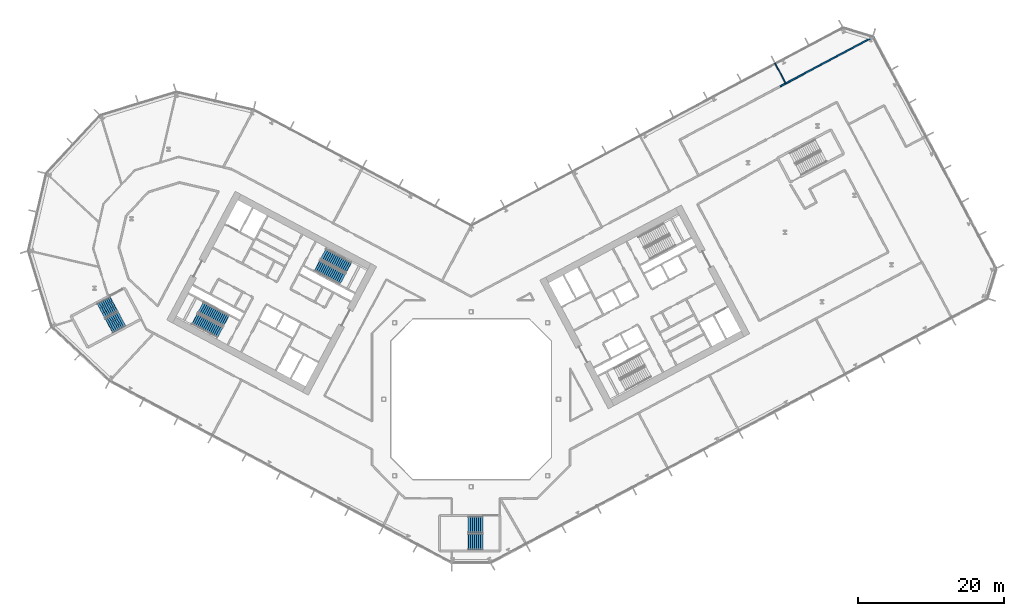
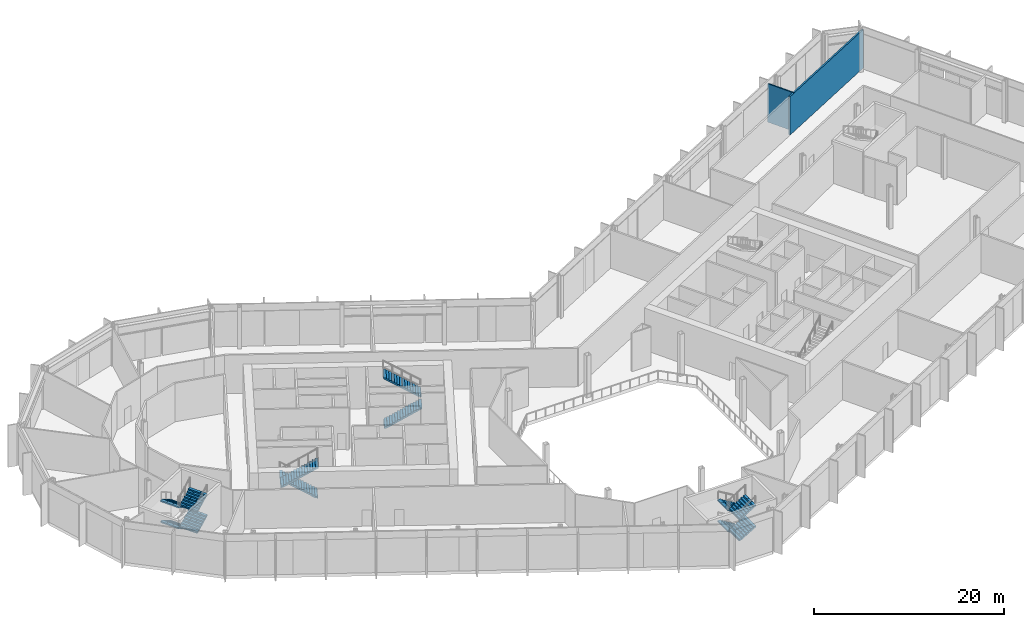
# One storey, part 17 of 30: 12 stair flights, 2 walls, 4 elements without a shape of their own.
"""IFC4 building model written with IfcOpenShell, lengths in metres."""

from ifc_helpers import new_model, si_unit, direction, frame, frame_2d, origin, place, context, subcontext, project, spatial, polyline, rectangle, outline, extrude, material, layer, layer_set, type_object, element, aggregate, save


model = new_model("IFC4")

# Units and contexts
model_context = context("Model", 3, precision=1e-05, world=origin(), true_north=direction((0.0, 1.0)))
body_context = subcontext(model_context, "Body", "Model", "MODEL_VIEW")
ifc_project = project(units=[si_unit("LENGTHUNIT", "METRE"), si_unit("AREAUNIT", "SQUARE_METRE"), si_unit("VOLUMEUNIT", "CUBIC_METRE"), si_unit("PLANEANGLEUNIT", "RADIAN"), si_unit("MASSUNIT", "GRAM", prefix="KILO")], contexts=[model_context])

# Site, building, storey
site_placement = place(None, origin())
site = spatial("IfcSite", under=ifc_project, at=site_placement, CompositionType="ELEMENT")
building_placement = place(site_placement, origin())
building = spatial("IfcBuilding", under=site, at=building_placement, Name="Cormorant Relay Tower", CompositionType="ELEMENT")
storey_placement = place(building_placement, frame((0.0, 0.0, 44.60009765625)))
storey = spatial("IfcBuildingStorey", under=building, at=storey_placement, Name="L08", CompositionType="ELEMENT", Elevation=44.60009765625)

# Walls
ifc_material_1 = material(Name="Fire-rated gypsum board partition")
ifc_layer_1 = layer(ifc_material_1, 0.199951171875)
ifc_layer_set_1 = layer_set([ifc_layer_1], Name="Fire-rated gypsum partition 200")
wall_type_1 = type_object("IfcWallType", Name="Fire-rated gypsum partition 200", PredefinedType="PARTITIONING", material=ifc_layer_set_1)
wall_1_placement = place(storey_placement, frame((42.426025390625, 42.945068359375, 0.0), z_axis=(0.0, 0.0, 1.0), x_axis=(0.882949550604, 0.469467880785, 0.0)))
element("IfcWall", 1, at=wall_1_placement, inside=storey, type_object=wall_type_1, Name="wall/L08/part/70", PredefinedType="PARTITIONING", context=body_context, shape_type="SweptSolid", body=[
    extrude(rectangle(XDim=14.595458984375, YDim=0.199951171875, at=frame_2d((7.2978515625, 0.0))), origin(), (0.0, 0.0, 1.0), 4.949951171875),
])
ifc_material_2 = material(Name="Gypsum board partition")
ifc_layer_2 = layer(ifc_material_2, 0.14990234375)
ifc_layer_set_2 = layer_set([ifc_layer_2], Name="Gypsum board partition 150")
wall_type_2 = type_object("IfcWallType", Name="Gypsum board partition 150", PredefinedType="PARTITIONING", material=ifc_layer_set_2)
wall_2_placement = place(storey_placement, frame((41.68603515625, 46.175048828125, 0.0), z_axis=(0.0, 0.0, 1.0), x_axis=(0.469447181805, -0.882960556025, 0.0)))
element("IfcWall", 2, at=wall_2_placement, inside=storey, type_object=wall_type_2, Name="wall/L08/part/69", PredefinedType="PARTITIONING", context=body_context, shape_type="SweptSolid", body=[
    extrude(rectangle(XDim=3.199462890625, YDim=0.14990234375, at=frame_2d((1.599609375, 0.0))), origin(), (0.0, 0.0, 1.0), 4.949951171875),
])

# Stair, stair flights
ifc_material_3 = material(Name="Concrete 40 MPa", Category="concrete")
stair_type_1 = type_object("IfcStairType", Name="Exit stair 1500", PredefinedType="HALF_TURN_STAIR", material=ifc_material_3)
stair_1_placement = place(storey_placement, origin())
stair_1 = element("IfcStair", 3, at=stair_1_placement, inside=storey, type_object=stair_type_1, Name="L08 Stair", PredefinedType="HALF_TURN_STAIR")
ifc_material_4 = material(Name="Concrete 40 MPa", Category="concrete")
stair_flight_type_1 = type_object("IfcStairFlightType", Name="Exit stair flight 1650", PredefinedType="STRAIGHT", material=ifc_material_4)
stair_flight_1_placement = place(storey_placement, frame((-21.114501953125, 18.33349609375, 0.0), z_axis=(0.0, 0.0, 1.0), x_axis=(0.882947592859, -0.469471562786, 0.0)))
stair_flight_1 = element("IfcStairFlight", 4, at=stair_flight_1_placement, type_object=stair_flight_type_1, Name="A1 flight 1", NumberOfRisers=15, NumberOfTreads=14, PredefinedType="STRAIGHT", RiserHeight=0.18, TreadLength=0.28, context=body_context, shape_type="SweptSolid", body=[
    extrude(outline(polyline([(-0.050048828125, -0.080078125), (-0.050048828125, 0.0), (0.0, 0.0), (0.0, 0.179931640625), (0.280029296875, 0.179931640625), (0.280029296875, 0.360107421875), (0.56005859375, 0.360107421875), (0.56005859375, 0.5400390625), (0.840087890625, 0.5400390625), (0.840087890625, 0.719970703125), (1.1201171875, 0.719970703125), (1.1201171875, 0.89990234375), (1.39990234375, 0.89990234375), (1.39990234375, 1.080078125), (1.679931640625, 1.080078125), (1.679931640625, 1.260009765625), (1.9599609375, 1.260009765625), (1.9599609375, 1.43994140625), (2.239990234375, 1.43994140625), (2.239990234375, 1.6201171875), (2.52001953125, 1.6201171875), (2.52001953125, 1.800048828125), (2.800048828125, 1.800048828125), (2.800048828125, 1.97998046875), (3.080078125, 1.97998046875), (3.080078125, 2.159912109375), (3.360107421875, 2.159912109375), (3.360107421875, 2.340087890625), (3.639892578125, 2.340087890625), (3.639892578125, 2.52001953125), (3.919921875, 2.52001953125), (3.969970703125, 2.52001953125), (3.969970703125, 2.341796875), (3.919921875, 2.341796875), (0.277099609375, 0.0), (-0.050048828125, -0.080078125)])), frame((0.0, 0.824951171875, 0.0), z_axis=(0.0, -1.0, 0.0), x_axis=(1.0, 0.0, 0.0)), (0.0, 0.0, 1.0), 1.64990234375),
])
stair_flight_2_placement = place(storey_placement, frame((-16.80810546875, 18.08251953125, 2.699951171875), z_axis=(0.0, 0.0, 1.0), x_axis=(-0.882947592859, 0.469471562786, 0.0)))
stair_flight_2 = element("IfcStairFlight", 5, at=stair_flight_2_placement, type_object=stair_flight_type_1, Name="A1 flight 2", NumberOfRisers=15, NumberOfTreads=14, PredefinedType="STRAIGHT", RiserHeight=0.18, TreadLength=0.28, context=body_context, shape_type="SweptSolid", body=[
    extrude(outline(polyline([(-0.050048828125, -0.080078125), (-0.050048828125, 0.0), (0.0, 0.0), (0.0, 0.179931640625), (0.280029296875, 0.179931640625), (0.280029296875, 0.360107421875), (0.56005859375, 0.360107421875), (0.56005859375, 0.5400390625), (0.840087890625, 0.5400390625), (0.840087890625, 0.719970703125), (1.1201171875, 0.719970703125), (1.1201171875, 0.89990234375), (1.39990234375, 0.89990234375), (1.39990234375, 1.080078125), (1.679931640625, 1.080078125), (1.679931640625, 1.260009765625), (1.9599609375, 1.260009765625), (1.9599609375, 1.43994140625), (2.239990234375, 1.43994140625), (2.239990234375, 1.6201171875), (2.52001953125, 1.6201171875), (2.52001953125, 1.800048828125), (2.800048828125, 1.800048828125), (2.800048828125, 1.97998046875), (3.080078125, 1.97998046875), (3.080078125, 2.159912109375), (3.360107421875, 2.159912109375), (3.360107421875, 2.340087890625), (3.639892578125, 2.340087890625), (3.639892578125, 2.52001953125), (3.919921875, 2.52001953125), (3.969970703125, 2.52001953125), (3.969970703125, 2.341796875), (3.919921875, 2.341796875), (0.277099609375, 0.0), (-0.050048828125, -0.080078125)])), frame((0.0, 0.824951171875, 0.0), z_axis=(0.0, -1.0, 0.0), x_axis=(1.0, 0.0, 0.0)), (0.0, 0.0, 1.0), 1.64990234375),
])
aggregate(stair_1, [stair_flight_1, stair_flight_2])

stair_2_placement = place(storey_placement, origin())
stair_2 = element("IfcStair", 6, at=stair_2_placement, inside=storey, type_object=stair_type_1, Name="L08 Stair", PredefinedType="HALF_TURN_STAIR")
stair_flight_3_placement = place(storey_placement, frame((-33.62841796875, 10.773681640625, 0.0), z_axis=(0.0, 0.0, 1.0), x_axis=(-0.882947592859, 0.469471562786, 0.0)))
stair_flight_3 = element("IfcStairFlight", 7, at=stair_flight_3_placement, type_object=stair_flight_type_1, Name="A2 flight 1", NumberOfRisers=15, NumberOfTreads=14, PredefinedType="STRAIGHT", RiserHeight=0.18, TreadLength=0.28, context=body_context, shape_type="SweptSolid", body=[
    extrude(outline(polyline([(-0.050048828125, -0.080078125), (-0.050048828125, 0.0), (0.0, 0.0), (0.0, 0.179931640625), (0.280029296875, 0.179931640625), (0.280029296875, 0.360107421875), (0.56005859375, 0.360107421875), (0.56005859375, 0.5400390625), (0.840087890625, 0.5400390625), (0.840087890625, 0.719970703125), (1.1201171875, 0.719970703125), (1.1201171875, 0.89990234375), (1.39990234375, 0.89990234375), (1.39990234375, 1.080078125), (1.679931640625, 1.080078125), (1.679931640625, 1.260009765625), (1.9599609375, 1.260009765625), (1.9599609375, 1.43994140625), (2.239990234375, 1.43994140625), (2.239990234375, 1.6201171875), (2.52001953125, 1.6201171875), (2.52001953125, 1.800048828125), (2.800048828125, 1.800048828125), (2.800048828125, 1.97998046875), (3.080078125, 1.97998046875), (3.080078125, 2.159912109375), (3.360107421875, 2.159912109375), (3.360107421875, 2.340087890625), (3.639892578125, 2.340087890625), (3.639892578125, 2.52001953125), (3.919921875, 2.52001953125), (3.969970703125, 2.52001953125), (3.969970703125, 2.341796875), (3.919921875, 2.341796875), (0.277099609375, 0.0), (-0.050048828125, -0.080078125)])), frame((0.0, 0.824951171875, 0.0), z_axis=(0.0, -1.0, 0.0), x_axis=(1.0, 0.0, 0.0)), (0.0, 0.0, 1.0), 1.64990234375),
])
stair_flight_4_placement = place(storey_placement, frame((-37.9345703125, 11.024658203125, 2.699951171875), z_axis=(0.0, 0.0, 1.0), x_axis=(0.882947592859, -0.469471562786, 0.0)))
stair_flight_4 = element("IfcStairFlight", 8, at=stair_flight_4_placement, type_object=stair_flight_type_1, Name="A2 flight 2", NumberOfRisers=15, NumberOfTreads=14, PredefinedType="STRAIGHT", RiserHeight=0.18, TreadLength=0.28, context=body_context, shape_type="SweptSolid", body=[
    extrude(outline(polyline([(-0.050048828125, -0.080078125), (-0.050048828125, 0.0), (0.0, 0.0), (0.0, 0.179931640625), (0.280029296875, 0.179931640625), (0.280029296875, 0.360107421875), (0.56005859375, 0.360107421875), (0.56005859375, 0.5400390625), (0.840087890625, 0.5400390625), (0.840087890625, 0.719970703125), (1.1201171875, 0.719970703125), (1.1201171875, 0.89990234375), (1.39990234375, 0.89990234375), (1.39990234375, 1.080078125), (1.679931640625, 1.080078125), (1.679931640625, 1.260009765625), (1.9599609375, 1.260009765625), (1.9599609375, 1.43994140625), (2.239990234375, 1.43994140625), (2.239990234375, 1.6201171875), (2.52001953125, 1.6201171875), (2.52001953125, 1.800048828125), (2.800048828125, 1.800048828125), (2.800048828125, 1.97998046875), (3.080078125, 1.97998046875), (3.080078125, 2.159912109375), (3.360107421875, 2.159912109375), (3.360107421875, 2.340087890625), (3.639892578125, 2.340087890625), (3.639892578125, 2.52001953125), (3.919921875, 2.52001953125), (3.969970703125, 2.52001953125), (3.969970703125, 2.341796875), (3.919921875, 2.341796875), (0.277099609375, 0.0), (-0.050048828125, -0.080078125)])), frame((0.0, 0.824951171875, 0.0), z_axis=(0.0, -1.0, 0.0), x_axis=(1.0, 0.0, 0.0)), (0.0, 0.0, 1.0), 1.64990234375),
])
aggregate(stair_2, [stair_flight_3, stair_flight_4])

ifc_material_5 = material(Name="Concrete 40 MPa", Category="concrete")
stair_type_2 = type_object("IfcStairType", Name="Remote exit stair 2200", PredefinedType="HALF_TURN_STAIR", material=ifc_material_5)
stair_3_placement = place(storey_placement, origin())
stair_3 = element("IfcStair", 9, at=stair_3_placement, inside=storey, type_object=stair_type_2, Name="L08 Stair", PredefinedType="HALF_TURN_STAIR")
ifc_material_6 = material(Name="Concrete 40 MPa", Category="concrete")
stair_flight_type_2 = type_object("IfcStairFlightType", Name="Remote exit stair flight 2200", PredefinedType="STRAIGHT", material=ifc_material_6)
stair_flight_5_placement = place(storey_placement, frame((1.60009765625, -17.22509765625, 0.0), z_axis=(0.0, 0.0, 1.0), x_axis=(-1.0, 0.0, 0.0)))
stair_flight_5 = element("IfcStairFlight", 10, at=stair_flight_5_placement, type_object=stair_flight_type_2, Name="RK1 flight 1", NumberOfRisers=8, NumberOfTreads=7, PredefinedType="STRAIGHT", RiserHeight=0.16875, TreadLength=0.28, context=body_context, shape_type="SweptSolid", body=[
    extrude(outline(polyline([(-0.050048828125, -0.080078125), (-0.050048828125, 0.0), (0.0, 0.0), (0.0, 0.168701171875), (0.280029296875, 0.168701171875), (0.280029296875, 0.33740234375), (0.56005859375, 0.33740234375), (0.56005859375, 0.50634765625), (0.840087890625, 0.50634765625), (0.840087890625, 0.675048828125), (1.1201171875, 0.675048828125), (1.1201171875, 0.84375), (1.39990234375, 0.84375), (1.39990234375, 1.012451171875), (1.679931640625, 1.012451171875), (1.679931640625, 1.18115234375), (1.9599609375, 1.18115234375), (2.010009765625, 1.18115234375), (2.010009765625, 1.00634765625), (1.9599609375, 1.00634765625), (0.29052734375, 0.0), (-0.050048828125, -0.080078125)])), frame((0.0, 1.10009765625, 0.0), z_axis=(0.0, -1.0, 0.0), x_axis=(1.0, 0.0, 0.0)), (0.0, 0.0, 1.0), 0.719970703125),
    extrude(outline(polyline([(-0.050048828125, -0.080078125), (-0.050048828125, 0.0), (0.0, 0.0), (0.0, 0.168701171875), (0.280029296875, 0.168701171875), (0.280029296875, 0.33740234375), (0.56005859375, 0.33740234375), (0.56005859375, 0.50634765625), (0.840087890625, 0.50634765625), (0.840087890625, 0.675048828125), (1.1201171875, 0.675048828125), (1.1201171875, 0.84375), (1.39990234375, 0.84375), (1.39990234375, 1.012451171875), (1.679931640625, 1.012451171875), (1.679931640625, 1.18115234375), (1.9599609375, 1.18115234375), (2.010009765625, 1.18115234375), (2.010009765625, 1.00634765625), (1.9599609375, 1.00634765625), (0.29052734375, 0.0), (-0.050048828125, -0.080078125)])), frame((0.0, 0.360107421875, 0.0), z_axis=(0.0, -1.0, 0.0), x_axis=(1.0, 0.0, 0.0)), (0.0, 0.0, 1.0), 0.719970703125),
    extrude(outline(polyline([(-0.050048828125, -0.080078125), (-0.050048828125, 0.0), (0.0, 0.0), (0.0, 0.168701171875), (0.280029296875, 0.168701171875), (0.280029296875, 0.33740234375), (0.56005859375, 0.33740234375), (0.56005859375, 0.50634765625), (0.840087890625, 0.50634765625), (0.840087890625, 0.675048828125), (1.1201171875, 0.675048828125), (1.1201171875, 0.84375), (1.39990234375, 0.84375), (1.39990234375, 1.012451171875), (1.679931640625, 1.012451171875), (1.679931640625, 1.18115234375), (1.9599609375, 1.18115234375), (2.010009765625, 1.18115234375), (2.010009765625, 1.00634765625), (1.9599609375, 1.00634765625), (0.29052734375, 0.0), (-0.050048828125, -0.080078125)])), frame((0.0, -0.3798828125, 0.0), z_axis=(0.0, -1.0, 0.0), x_axis=(1.0, 0.0, 0.0)), (0.0, 0.0, 1.0), 0.719970703125),
])
stair_flight_6_placement = place(storey_placement, frame((-0.360107421875, -19.574951171875, 1.349853515625), z_axis=(0.0, 0.0, 1.0), x_axis=(1.0, 0.0, 0.0)))
stair_flight_6 = element("IfcStairFlight", 11, at=stair_flight_6_placement, type_object=stair_flight_type_2, Name="RK1 flight 2", NumberOfRisers=8, NumberOfTreads=7, PredefinedType="STRAIGHT", RiserHeight=0.16875, TreadLength=0.28, context=body_context, shape_type="SweptSolid", body=[
    extrude(outline(polyline([(-0.050048828125, -0.080078125), (-0.050048828125, 0.0), (0.0, 0.0), (0.0, 0.168701171875), (0.280029296875, 0.168701171875), (0.280029296875, 0.33740234375), (0.56005859375, 0.33740234375), (0.56005859375, 0.50634765625), (0.840087890625, 0.50634765625), (0.840087890625, 0.675048828125), (1.1201171875, 0.675048828125), (1.1201171875, 0.84375), (1.39990234375, 0.84375), (1.39990234375, 1.012451171875), (1.679931640625, 1.012451171875), (1.679931640625, 1.18115234375), (1.9599609375, 1.18115234375), (2.010009765625, 1.18115234375), (2.010009765625, 1.00634765625), (1.9599609375, 1.00634765625), (0.29052734375, 0.0), (-0.050048828125, -0.080078125)])), frame((0.0, 1.10009765625, 0.0), z_axis=(0.0, -1.0, 0.0), x_axis=(1.0, 0.0, 0.0)), (0.0, 0.0, 1.0), 0.719970703125),
    extrude(outline(polyline([(-0.050048828125, -0.080078125), (-0.050048828125, 0.0), (0.0, 0.0), (0.0, 0.168701171875), (0.280029296875, 0.168701171875), (0.280029296875, 0.33740234375), (0.56005859375, 0.33740234375), (0.56005859375, 0.50634765625), (0.840087890625, 0.50634765625), (0.840087890625, 0.675048828125), (1.1201171875, 0.675048828125), (1.1201171875, 0.84375), (1.39990234375, 0.84375), (1.39990234375, 1.012451171875), (1.679931640625, 1.012451171875), (1.679931640625, 1.18115234375), (1.9599609375, 1.18115234375), (2.010009765625, 1.18115234375), (2.010009765625, 1.00634765625), (1.9599609375, 1.00634765625), (0.29052734375, 0.0), (-0.050048828125, -0.080078125)])), frame((0.0, 0.360107421875, 0.0), z_axis=(0.0, -1.0, 0.0), x_axis=(1.0, 0.0, 0.0)), (0.0, 0.0, 1.0), 0.719970703125),
    extrude(outline(polyline([(-0.050048828125, -0.080078125), (-0.050048828125, 0.0), (0.0, 0.0), (0.0, 0.168701171875), (0.280029296875, 0.168701171875), (0.280029296875, 0.33740234375), (0.56005859375, 0.33740234375), (0.56005859375, 0.50634765625), (0.840087890625, 0.50634765625), (0.840087890625, 0.675048828125), (1.1201171875, 0.675048828125), (1.1201171875, 0.84375), (1.39990234375, 0.84375), (1.39990234375, 1.012451171875), (1.679931640625, 1.012451171875), (1.679931640625, 1.18115234375), (1.9599609375, 1.18115234375), (2.010009765625, 1.18115234375), (2.010009765625, 1.00634765625), (1.9599609375, 1.00634765625), (0.29052734375, 0.0), (-0.050048828125, -0.080078125)])), frame((0.0, -0.3798828125, 0.0), z_axis=(0.0, -1.0, 0.0), x_axis=(1.0, 0.0, 0.0)), (0.0, 0.0, 1.0), 0.719970703125),
])
stair_flight_7_placement = place(storey_placement, frame((1.60009765625, -17.22509765625, 2.699951171875), z_axis=(0.0, 0.0, 1.0), x_axis=(-1.0, 0.0, 0.0)))
stair_flight_7 = element("IfcStairFlight", 12, at=stair_flight_7_placement, type_object=stair_flight_type_2, Name="RK1 flight 3", NumberOfRisers=8, NumberOfTreads=7, PredefinedType="STRAIGHT", RiserHeight=0.16875, TreadLength=0.28, context=body_context, shape_type="SweptSolid", body=[
    extrude(outline(polyline([(-0.050048828125, -0.080078125), (-0.050048828125, 0.0), (0.0, 0.0), (0.0, 0.168701171875), (0.280029296875, 0.168701171875), (0.280029296875, 0.33740234375), (0.56005859375, 0.33740234375), (0.56005859375, 0.50634765625), (0.840087890625, 0.50634765625), (0.840087890625, 0.675048828125), (1.1201171875, 0.675048828125), (1.1201171875, 0.84375), (1.39990234375, 0.84375), (1.39990234375, 1.012451171875), (1.679931640625, 1.012451171875), (1.679931640625, 1.18115234375), (1.9599609375, 1.18115234375), (2.010009765625, 1.18115234375), (2.010009765625, 1.00634765625), (1.9599609375, 1.00634765625), (0.29052734375, 0.0), (-0.050048828125, -0.080078125)])), frame((0.0, 1.10009765625, 0.0), z_axis=(0.0, -1.0, 0.0), x_axis=(1.0, 0.0, 0.0)), (0.0, 0.0, 1.0), 0.719970703125),
    extrude(outline(polyline([(-0.050048828125, -0.080078125), (-0.050048828125, 0.0), (0.0, 0.0), (0.0, 0.168701171875), (0.280029296875, 0.168701171875), (0.280029296875, 0.33740234375), (0.56005859375, 0.33740234375), (0.56005859375, 0.50634765625), (0.840087890625, 0.50634765625), (0.840087890625, 0.675048828125), (1.1201171875, 0.675048828125), (1.1201171875, 0.84375), (1.39990234375, 0.84375), (1.39990234375, 1.012451171875), (1.679931640625, 1.012451171875), (1.679931640625, 1.18115234375), (1.9599609375, 1.18115234375), (2.010009765625, 1.18115234375), (2.010009765625, 1.00634765625), (1.9599609375, 1.00634765625), (0.29052734375, 0.0), (-0.050048828125, -0.080078125)])), frame((0.0, 0.360107421875, 0.0), z_axis=(0.0, -1.0, 0.0), x_axis=(1.0, 0.0, 0.0)), (0.0, 0.0, 1.0), 0.719970703125),
    extrude(outline(polyline([(-0.050048828125, -0.080078125), (-0.050048828125, 0.0), (0.0, 0.0), (0.0, 0.168701171875), (0.280029296875, 0.168701171875), (0.280029296875, 0.33740234375), (0.56005859375, 0.33740234375), (0.56005859375, 0.50634765625), (0.840087890625, 0.50634765625), (0.840087890625, 0.675048828125), (1.1201171875, 0.675048828125), (1.1201171875, 0.84375), (1.39990234375, 0.84375), (1.39990234375, 1.012451171875), (1.679931640625, 1.012451171875), (1.679931640625, 1.18115234375), (1.9599609375, 1.18115234375), (2.010009765625, 1.18115234375), (2.010009765625, 1.00634765625), (1.9599609375, 1.00634765625), (0.29052734375, 0.0), (-0.050048828125, -0.080078125)])), frame((0.0, -0.3798828125, 0.0), z_axis=(0.0, -1.0, 0.0), x_axis=(1.0, 0.0, 0.0)), (0.0, 0.0, 1.0), 0.719970703125),
])
stair_flight_8_placement = place(storey_placement, frame((-0.360107421875, -19.574951171875, 4.0498046875), z_axis=(0.0, 0.0, 1.0), x_axis=(1.0, 0.0, 0.0)))
stair_flight_8 = element("IfcStairFlight", 13, at=stair_flight_8_placement, type_object=stair_flight_type_2, Name="RK1 flight 4", NumberOfRisers=8, NumberOfTreads=7, PredefinedType="STRAIGHT", RiserHeight=0.16875, TreadLength=0.28, context=body_context, shape_type="SweptSolid", body=[
    extrude(outline(polyline([(-0.050048828125, -0.080078125), (-0.050048828125, 0.0), (0.0, 0.0), (0.0, 0.168701171875), (0.280029296875, 0.168701171875), (0.280029296875, 0.33740234375), (0.56005859375, 0.33740234375), (0.56005859375, 0.50634765625), (0.840087890625, 0.50634765625), (0.840087890625, 0.675048828125), (1.1201171875, 0.675048828125), (1.1201171875, 0.84375), (1.39990234375, 0.84375), (1.39990234375, 1.012451171875), (1.679931640625, 1.012451171875), (1.679931640625, 1.18115234375), (1.9599609375, 1.18115234375), (2.010009765625, 1.18115234375), (2.010009765625, 1.00634765625), (1.9599609375, 1.00634765625), (0.29052734375, 0.0), (-0.050048828125, -0.080078125)])), frame((0.0, 1.10009765625, 0.0), z_axis=(0.0, -1.0, 0.0), x_axis=(1.0, 0.0, 0.0)), (0.0, 0.0, 1.0), 0.719970703125),
    extrude(outline(polyline([(-0.050048828125, -0.080078125), (-0.050048828125, 0.0), (0.0, 0.0), (0.0, 0.168701171875), (0.280029296875, 0.168701171875), (0.280029296875, 0.33740234375), (0.56005859375, 0.33740234375), (0.56005859375, 0.50634765625), (0.840087890625, 0.50634765625), (0.840087890625, 0.675048828125), (1.1201171875, 0.675048828125), (1.1201171875, 0.84375), (1.39990234375, 0.84375), (1.39990234375, 1.012451171875), (1.679931640625, 1.012451171875), (1.679931640625, 1.18115234375), (1.9599609375, 1.18115234375), (2.010009765625, 1.18115234375), (2.010009765625, 1.00634765625), (1.9599609375, 1.00634765625), (0.29052734375, 0.0), (-0.050048828125, -0.080078125)])), frame((0.0, 0.360107421875, 0.0), z_axis=(0.0, -1.0, 0.0), x_axis=(1.0, 0.0, 0.0)), (0.0, 0.0, 1.0), 0.719970703125),
    extrude(outline(polyline([(-0.050048828125, -0.080078125), (-0.050048828125, 0.0), (0.0, 0.0), (0.0, 0.168701171875), (0.280029296875, 0.168701171875), (0.280029296875, 0.33740234375), (0.56005859375, 0.33740234375), (0.56005859375, 0.50634765625), (0.840087890625, 0.50634765625), (0.840087890625, 0.675048828125), (1.1201171875, 0.675048828125), (1.1201171875, 0.84375), (1.39990234375, 0.84375), (1.39990234375, 1.012451171875), (1.679931640625, 1.012451171875), (1.679931640625, 1.18115234375), (1.9599609375, 1.18115234375), (2.010009765625, 1.18115234375), (2.010009765625, 1.00634765625), (1.9599609375, 1.00634765625), (0.29052734375, 0.0), (-0.050048828125, -0.080078125)])), frame((0.0, -0.3798828125, 0.0), z_axis=(0.0, -1.0, 0.0), x_axis=(1.0, 0.0, 0.0)), (0.0, 0.0, 1.0), 0.719970703125),
])
aggregate(stair_3, [stair_flight_5, stair_flight_6, stair_flight_7, stair_flight_8])

stair_4_placement = place(storey_placement, origin())
stair_4 = element("IfcStair", 14, at=stair_4_placement, inside=storey, type_object=stair_type_2, Name="L08 Stair", PredefinedType="HALF_TURN_STAIR")
stair_flight_9_placement = place(storey_placement, frame((-49.062255859375, 13.08251953125, 0.0), z_axis=(0.0, 0.0, 1.0), x_axis=(-0.882947502727, -0.4694717323, 0.0)))
stair_flight_9 = element("IfcStairFlight", 15, at=stair_flight_9_placement, type_object=stair_flight_type_2, Name="RP1 flight 1", NumberOfRisers=8, NumberOfTreads=7, PredefinedType="STRAIGHT", RiserHeight=0.16875, TreadLength=0.28, context=body_context, shape_type="SweptSolid", body=[
    extrude(outline(polyline([(-0.050048828125, -0.080078125), (-0.050048828125, 0.0), (0.0, 0.0), (0.0, 0.168701171875), (0.280029296875, 0.168701171875), (0.280029296875, 0.33740234375), (0.56005859375, 0.33740234375), (0.56005859375, 0.50634765625), (0.840087890625, 0.50634765625), (0.840087890625, 0.675048828125), (1.1201171875, 0.675048828125), (1.1201171875, 0.84375), (1.39990234375, 0.84375), (1.39990234375, 1.012451171875), (1.679931640625, 1.012451171875), (1.679931640625, 1.18115234375), (1.9599609375, 1.18115234375), (2.010009765625, 1.18115234375), (2.010009765625, 1.00634765625), (1.9599609375, 1.00634765625), (0.29052734375, 0.0), (-0.050048828125, -0.080078125)])), frame((0.0, 1.10009765625, 0.0), z_axis=(0.0, -1.0, 0.0), x_axis=(1.0, 0.0, 0.0)), (0.0, 0.0, 1.0), 0.719970703125),
    extrude(outline(polyline([(-0.050048828125, -0.080078125), (-0.050048828125, 0.0), (0.0, 0.0), (0.0, 0.168701171875), (0.280029296875, 0.168701171875), (0.280029296875, 0.33740234375), (0.56005859375, 0.33740234375), (0.56005859375, 0.50634765625), (0.840087890625, 0.50634765625), (0.840087890625, 0.675048828125), (1.1201171875, 0.675048828125), (1.1201171875, 0.84375), (1.39990234375, 0.84375), (1.39990234375, 1.012451171875), (1.679931640625, 1.012451171875), (1.679931640625, 1.18115234375), (1.9599609375, 1.18115234375), (2.010009765625, 1.18115234375), (2.010009765625, 1.00634765625), (1.9599609375, 1.00634765625), (0.29052734375, 0.0), (-0.050048828125, -0.080078125)])), frame((0.0, 0.360107421875, 0.0), z_axis=(0.0, -1.0, 0.0), x_axis=(1.0, 0.0, 0.0)), (0.0, 0.0, 1.0), 0.719970703125),
    extrude(outline(polyline([(-0.050048828125, -0.080078125), (-0.050048828125, 0.0), (0.0, 0.0), (0.0, 0.168701171875), (0.280029296875, 0.168701171875), (0.280029296875, 0.33740234375), (0.56005859375, 0.33740234375), (0.56005859375, 0.50634765625), (0.840087890625, 0.50634765625), (0.840087890625, 0.675048828125), (1.1201171875, 0.675048828125), (1.1201171875, 0.84375), (1.39990234375, 0.84375), (1.39990234375, 1.012451171875), (1.679931640625, 1.012451171875), (1.679931640625, 1.18115234375), (1.9599609375, 1.18115234375), (2.010009765625, 1.18115234375), (2.010009765625, 1.00634765625), (1.9599609375, 1.00634765625), (0.29052734375, 0.0), (-0.050048828125, -0.080078125)])), frame((0.0, -0.3798828125, 0.0), z_axis=(0.0, -1.0, 0.0), x_axis=(1.0, 0.0, 0.0)), (0.0, 0.0, 1.0), 0.719970703125),
])
stair_flight_10_placement = place(storey_placement, frame((-49.689697265625, 10.08740234375, 1.349853515625), z_axis=(0.0, 0.0, 1.0), x_axis=(0.882947502727, 0.4694717323, 0.0)))
stair_flight_10 = element("IfcStairFlight", 16, at=stair_flight_10_placement, type_object=stair_flight_type_2, Name="RP1 flight 2", NumberOfRisers=8, NumberOfTreads=7, PredefinedType="STRAIGHT", RiserHeight=0.16875, TreadLength=0.28, context=body_context, shape_type="SweptSolid", body=[
    extrude(outline(polyline([(-0.050048828125, -0.080078125), (-0.050048828125, 0.0), (0.0, 0.0), (0.0, 0.168701171875), (0.280029296875, 0.168701171875), (0.280029296875, 0.33740234375), (0.56005859375, 0.33740234375), (0.56005859375, 0.50634765625), (0.840087890625, 0.50634765625), (0.840087890625, 0.675048828125), (1.1201171875, 0.675048828125), (1.1201171875, 0.84375), (1.39990234375, 0.84375), (1.39990234375, 1.012451171875), (1.679931640625, 1.012451171875), (1.679931640625, 1.18115234375), (1.9599609375, 1.18115234375), (2.010009765625, 1.18115234375), (2.010009765625, 1.00634765625), (1.9599609375, 1.00634765625), (0.29052734375, 0.0), (-0.050048828125, -0.080078125)])), frame((0.0, 1.10009765625, 0.0), z_axis=(0.0, -1.0, 0.0), x_axis=(1.0, 0.0, 0.0)), (0.0, 0.0, 1.0), 0.719970703125),
    extrude(outline(polyline([(-0.050048828125, -0.080078125), (-0.050048828125, 0.0), (0.0, 0.0), (0.0, 0.168701171875), (0.280029296875, 0.168701171875), (0.280029296875, 0.33740234375), (0.56005859375, 0.33740234375), (0.56005859375, 0.50634765625), (0.840087890625, 0.50634765625), (0.840087890625, 0.675048828125), (1.1201171875, 0.675048828125), (1.1201171875, 0.84375), (1.39990234375, 0.84375), (1.39990234375, 1.012451171875), (1.679931640625, 1.012451171875), (1.679931640625, 1.18115234375), (1.9599609375, 1.18115234375), (2.010009765625, 1.18115234375), (2.010009765625, 1.00634765625), (1.9599609375, 1.00634765625), (0.29052734375, 0.0), (-0.050048828125, -0.080078125)])), frame((0.0, 0.360107421875, 0.0), z_axis=(0.0, -1.0, 0.0), x_axis=(1.0, 0.0, 0.0)), (0.0, 0.0, 1.0), 0.719970703125),
    extrude(outline(polyline([(-0.050048828125, -0.080078125), (-0.050048828125, 0.0), (0.0, 0.0), (0.0, 0.168701171875), (0.280029296875, 0.168701171875), (0.280029296875, 0.33740234375), (0.56005859375, 0.33740234375), (0.56005859375, 0.50634765625), (0.840087890625, 0.50634765625), (0.840087890625, 0.675048828125), (1.1201171875, 0.675048828125), (1.1201171875, 0.84375), (1.39990234375, 0.84375), (1.39990234375, 1.012451171875), (1.679931640625, 1.012451171875), (1.679931640625, 1.18115234375), (1.9599609375, 1.18115234375), (2.010009765625, 1.18115234375), (2.010009765625, 1.00634765625), (1.9599609375, 1.00634765625), (0.29052734375, 0.0), (-0.050048828125, -0.080078125)])), frame((0.0, -0.3798828125, 0.0), z_axis=(0.0, -1.0, 0.0), x_axis=(1.0, 0.0, 0.0)), (0.0, 0.0, 1.0), 0.719970703125),
])
stair_flight_11_placement = place(storey_placement, frame((-49.062255859375, 13.08251953125, 2.699951171875), z_axis=(0.0, 0.0, 1.0), x_axis=(-0.882947502727, -0.4694717323, 0.0)))
stair_flight_11 = element("IfcStairFlight", 17, at=stair_flight_11_placement, type_object=stair_flight_type_2, Name="RP1 flight 3", NumberOfRisers=8, NumberOfTreads=7, PredefinedType="STRAIGHT", RiserHeight=0.16875, TreadLength=0.28, context=body_context, shape_type="SweptSolid", body=[
    extrude(outline(polyline([(-0.050048828125, -0.080078125), (-0.050048828125, 0.0), (0.0, 0.0), (0.0, 0.168701171875), (0.280029296875, 0.168701171875), (0.280029296875, 0.33740234375), (0.56005859375, 0.33740234375), (0.56005859375, 0.50634765625), (0.840087890625, 0.50634765625), (0.840087890625, 0.675048828125), (1.1201171875, 0.675048828125), (1.1201171875, 0.84375), (1.39990234375, 0.84375), (1.39990234375, 1.012451171875), (1.679931640625, 1.012451171875), (1.679931640625, 1.18115234375), (1.9599609375, 1.18115234375), (2.010009765625, 1.18115234375), (2.010009765625, 1.00634765625), (1.9599609375, 1.00634765625), (0.29052734375, 0.0), (-0.050048828125, -0.080078125)])), frame((0.0, 1.10009765625, 0.0), z_axis=(0.0, -1.0, 0.0), x_axis=(1.0, 0.0, 0.0)), (0.0, 0.0, 1.0), 0.719970703125),
    extrude(outline(polyline([(-0.050048828125, -0.080078125), (-0.050048828125, 0.0), (0.0, 0.0), (0.0, 0.168701171875), (0.280029296875, 0.168701171875), (0.280029296875, 0.33740234375), (0.56005859375, 0.33740234375), (0.56005859375, 0.50634765625), (0.840087890625, 0.50634765625), (0.840087890625, 0.675048828125), (1.1201171875, 0.675048828125), (1.1201171875, 0.84375), (1.39990234375, 0.84375), (1.39990234375, 1.012451171875), (1.679931640625, 1.012451171875), (1.679931640625, 1.18115234375), (1.9599609375, 1.18115234375), (2.010009765625, 1.18115234375), (2.010009765625, 1.00634765625), (1.9599609375, 1.00634765625), (0.29052734375, 0.0), (-0.050048828125, -0.080078125)])), frame((0.0, 0.360107421875, 0.0), z_axis=(0.0, -1.0, 0.0), x_axis=(1.0, 0.0, 0.0)), (0.0, 0.0, 1.0), 0.719970703125),
    extrude(outline(polyline([(-0.050048828125, -0.080078125), (-0.050048828125, 0.0), (0.0, 0.0), (0.0, 0.168701171875), (0.280029296875, 0.168701171875), (0.280029296875, 0.33740234375), (0.56005859375, 0.33740234375), (0.56005859375, 0.50634765625), (0.840087890625, 0.50634765625), (0.840087890625, 0.675048828125), (1.1201171875, 0.675048828125), (1.1201171875, 0.84375), (1.39990234375, 0.84375), (1.39990234375, 1.012451171875), (1.679931640625, 1.012451171875), (1.679931640625, 1.18115234375), (1.9599609375, 1.18115234375), (2.010009765625, 1.18115234375), (2.010009765625, 1.00634765625), (1.9599609375, 1.00634765625), (0.29052734375, 0.0), (-0.050048828125, -0.080078125)])), frame((0.0, -0.3798828125, 0.0), z_axis=(0.0, -1.0, 0.0), x_axis=(1.0, 0.0, 0.0)), (0.0, 0.0, 1.0), 0.719970703125),
])
stair_flight_12_placement = place(storey_placement, frame((-49.689697265625, 10.08740234375, 4.0498046875), z_axis=(0.0, 0.0, 1.0), x_axis=(0.882947502727, 0.4694717323, 0.0)))
stair_flight_12 = element("IfcStairFlight", 18, at=stair_flight_12_placement, type_object=stair_flight_type_2, Name="RP1 flight 4", NumberOfRisers=8, NumberOfTreads=7, PredefinedType="STRAIGHT", RiserHeight=0.16875, TreadLength=0.28, context=body_context, shape_type="SweptSolid", body=[
    extrude(outline(polyline([(-0.050048828125, -0.080078125), (-0.050048828125, 0.0), (0.0, 0.0), (0.0, 0.168701171875), (0.280029296875, 0.168701171875), (0.280029296875, 0.33740234375), (0.56005859375, 0.33740234375), (0.56005859375, 0.50634765625), (0.840087890625, 0.50634765625), (0.840087890625, 0.675048828125), (1.1201171875, 0.675048828125), (1.1201171875, 0.84375), (1.39990234375, 0.84375), (1.39990234375, 1.012451171875), (1.679931640625, 1.012451171875), (1.679931640625, 1.18115234375), (1.9599609375, 1.18115234375), (2.010009765625, 1.18115234375), (2.010009765625, 1.00634765625), (1.9599609375, 1.00634765625), (0.29052734375, 0.0), (-0.050048828125, -0.080078125)])), frame((0.0, 1.10009765625, 0.0), z_axis=(0.0, -1.0, 0.0), x_axis=(1.0, 0.0, 0.0)), (0.0, 0.0, 1.0), 0.719970703125),
    extrude(outline(polyline([(-0.050048828125, -0.080078125), (-0.050048828125, 0.0), (0.0, 0.0), (0.0, 0.168701171875), (0.280029296875, 0.168701171875), (0.280029296875, 0.33740234375), (0.56005859375, 0.33740234375), (0.56005859375, 0.50634765625), (0.840087890625, 0.50634765625), (0.840087890625, 0.675048828125), (1.1201171875, 0.675048828125), (1.1201171875, 0.84375), (1.39990234375, 0.84375), (1.39990234375, 1.012451171875), (1.679931640625, 1.012451171875), (1.679931640625, 1.18115234375), (1.9599609375, 1.18115234375), (2.010009765625, 1.18115234375), (2.010009765625, 1.00634765625), (1.9599609375, 1.00634765625), (0.29052734375, 0.0), (-0.050048828125, -0.080078125)])), frame((0.0, 0.360107421875, 0.0), z_axis=(0.0, -1.0, 0.0), x_axis=(1.0, 0.0, 0.0)), (0.0, 0.0, 1.0), 0.719970703125),
    extrude(outline(polyline([(-0.050048828125, -0.080078125), (-0.050048828125, 0.0), (0.0, 0.0), (0.0, 0.168701171875), (0.280029296875, 0.168701171875), (0.280029296875, 0.33740234375), (0.56005859375, 0.33740234375), (0.56005859375, 0.50634765625), (0.840087890625, 0.50634765625), (0.840087890625, 0.675048828125), (1.1201171875, 0.675048828125), (1.1201171875, 0.84375), (1.39990234375, 0.84375), (1.39990234375, 1.012451171875), (1.679931640625, 1.012451171875), (1.679931640625, 1.18115234375), (1.9599609375, 1.18115234375), (2.010009765625, 1.18115234375), (2.010009765625, 1.00634765625), (1.9599609375, 1.00634765625), (0.29052734375, 0.0), (-0.050048828125, -0.080078125)])), frame((0.0, -0.3798828125, 0.0), z_axis=(0.0, -1.0, 0.0), x_axis=(1.0, 0.0, 0.0)), (0.0, 0.0, 1.0), 0.719970703125),
])
aggregate(stair_4, [stair_flight_9, stair_flight_10, stair_flight_11, stair_flight_12])

save(model, "model.ifc")
